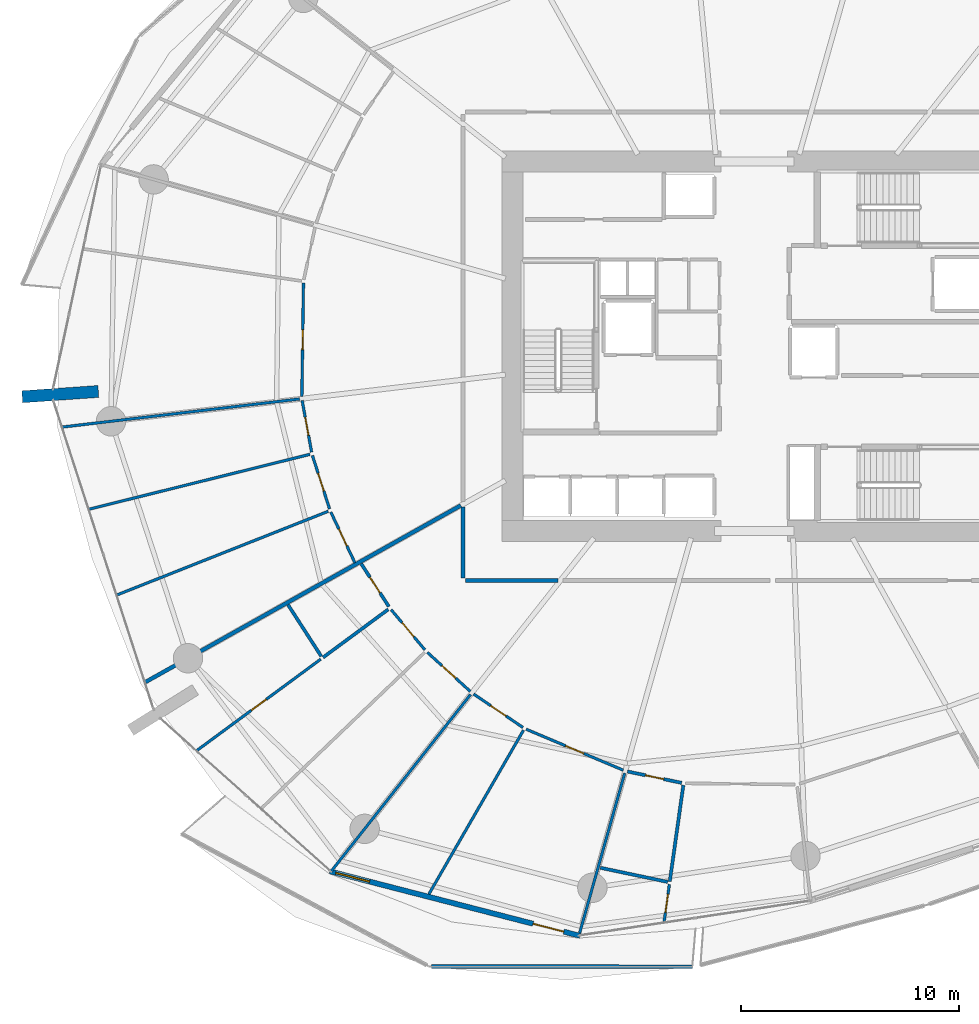
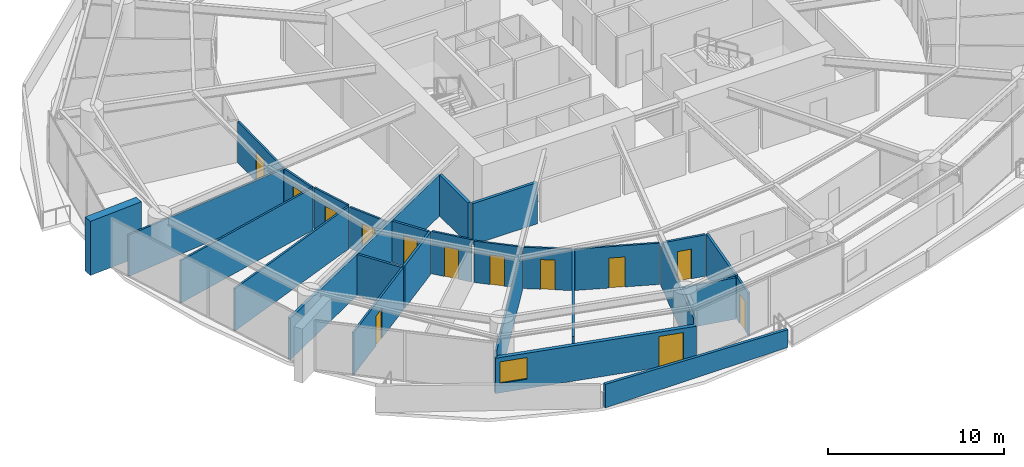
# One storey, part 19 of 31: 28 walls, 13 doors, 1 window, 14 openings.
"""IFC4 building model written with IfcOpenShell, lengths in metres."""

from ifc_helpers import new_model, si_unit, direction, frame, frame_2d, origin, place, context, subcontext, project, spatial, polyline, rectangle, outline, extrude, material, layer, layer_set, type_object, element, fill, save


model = new_model("IFC4")

# Units and contexts
model_context = context("Model", 3, precision=1e-05, world=origin(), true_north=direction((0.0, 1.0)))
body_context = subcontext(model_context, "Body", "Model", "MODEL_VIEW")
ifc_project = project(units=[si_unit("LENGTHUNIT", "METRE"), si_unit("AREAUNIT", "SQUARE_METRE"), si_unit("VOLUMEUNIT", "CUBIC_METRE"), si_unit("PLANEANGLEUNIT", "RADIAN"), si_unit("MASSUNIT", "GRAM", prefix="KILO")], contexts=[model_context])

# Site, building, storey
site_placement = place(None, origin())
site = spatial("IfcSite", under=ifc_project, at=site_placement, CompositionType="ELEMENT")
building_placement = place(site_placement, origin())
building = spatial("IfcBuilding", under=site, at=building_placement, Name="Kazma Halo Residences", CompositionType="ELEMENT")
storey_placement = place(building_placement, frame((0.0, 0.0, 30.14990234375)))
storey = spatial("IfcBuildingStorey", under=building, at=storey_placement, Name="L06", CompositionType="ELEMENT", Elevation=30.14990234375)

# Walls
ifc_material_1 = material(Name="White Concrete C50/60 Balustrade", Category="concrete")
ifc_layer_1 = layer(ifc_material_1, 0.179931640625)
ifc_layer_set_1 = layer_set([ifc_layer_1], Name="White Concrete C50/60 Balustrade")
wall_type_1 = type_object("IfcWallType", Name="WL-BAL-WAVE-180", PredefinedType="PARAPET", material=ifc_layer_set_1)
wall_1_placement = place(storey_placement, frame((33.615478515625, 13.533203125, 0.0), z_axis=(0.0, 0.0, 1.0), x_axis=(0.999999859357, -0.000530363224, 0.0)))
element("IfcWall", 1, at=wall_1_placement, inside=storey, type_object=wall_type_1, Name="L06 white wave balustrade wall SW.2", PredefinedType="PARAPET", context=body_context, shape_type="SweptSolid", body=[
    extrude(outline(polyline([(0.0, 0.0), (11.968505859375, 0.0), (11.968505859375, 1.233154296875), (5.984375, 1.418212890625), (0.0, 1.632080078125), (0.0, 0.0)])), frame((0.0, 0.08984375, 0.0), z_axis=(0.0, -1.0, 0.0), x_axis=(1.0, 0.0, 0.0)), (0.0, 0.0, 1.0), 0.179931640625),
])
ifc_material_2 = material(Name="Pale Concrete C60/75", Category="concrete")
ifc_layer_2 = layer(ifc_material_2, 0.550048828125)
ifc_layer_set_2 = layer_set([ifc_layer_2], Name="Pale Concrete C60/75")
wall_type_2 = type_object("IfcWallType", Name="WL-BLADE-550", PredefinedType="SOLIDWALL", material=ifc_layer_set_2)
wall_2_placement = place(storey_placement, frame((18.322021484375, 39.9248046875, 0.0), z_axis=(0.0, 0.0, 1.0), x_axis=(-0.997564163539, -0.069754853754, 0.0)))
element("IfcWall", 2, at=wall_2_placement, inside=storey, type_object=wall_type_2, Name="L06 pale concrete structural blade fin wall BW-02", PredefinedType="SOLIDWALL", context=body_context, shape_type="SweptSolid", body=[
    extrude(rectangle(XDim=3.5, YDim=0.550048828125, at=frame_2d((1.75, 0.0))), origin(), (0.0, 0.0, 1.0), 3.75),
])
ifc_material_3 = material(Name="Acoustic Twin-Stud Gypsum")
ifc_layer_3 = layer(ifc_material_3, 0.179931640625)
ifc_layer_set_3 = layer_set([ifc_layer_3], Name="Acoustic Twin-Stud Gypsum")
wall_type_3 = type_object("IfcWallType", Name="WL-DEM-180", PredefinedType="PARTITIONING", material=ifc_layer_set_3)
wall_3_placement = place(storey_placement, frame((34.9541015625, 34.694091796875, 0.0), z_axis=(0.0, 0.0, 1.0), x_axis=(-0.872493465611, -0.488625779577, 0.0)))
element("IfcWall", 3, at=wall_3_placement, inside=storey, type_object=wall_type_3, Name="L06 apartment demising radial wall 08", PredefinedType="PARTITIONING", context=body_context, shape_type="SweptSolid", body=[
    extrude(rectangle(XDim=16.586181640625, YDim=0.179931640625, at=frame_2d((8.29296875, 0.0))), origin(), (0.0, 0.0, 1.0), 2.8671875),
])
wall_4_placement = place(storey_placement, frame((35.050048828125, 34.627685546875, 0.0), z_axis=(0.0, 0.0, 1.0), x_axis=(0.0, -1.0, 0.0)))
element("IfcWall", 4, at=wall_4_placement, inside=storey, type_object=wall_type_3, Name="L06 Apartment 2 inner wall 8", PredefinedType="PARTITIONING", context=body_context, shape_type="SweptSolid", body=[
    extrude(rectangle(XDim=3.257568359375, YDim=0.179931640625, at=frame_2d((1.62890625, 0.0))), origin(), (0.0, 0.0, 1.0), 2.8671875),
])
wall_5_placement = place(storey_placement, frame((35.169921875, 31.25, 0.0), z_axis=(0.0, 0.0, 1.0), x_axis=(1.0, 0.0, 0.0)))
element("IfcWall", 5, at=wall_5_placement, inside=storey, type_object=wall_type_3, Name="L06 Apartment 2 inner wall 8", PredefinedType="PARTITIONING", context=body_context, shape_type="SweptSolid", body=[
    extrude(rectangle(XDim=4.235595703125, YDim=0.179931640625, at=frame_2d((2.11767578125, 0.0))), origin(), (0.0, 0.0, 1.0), 2.8671875),
])

# Wall, openings, door, window
ifc_material_4 = material(Name="Insulated Pale-Metal Composite Wall")
ifc_layer_4 = layer(ifc_material_4, 0.239990234375)
ifc_layer_set_4 = layer_set([ifc_layer_4], Name="Insulated Pale-Metal Composite Wall")
wall_type_4 = type_object("IfcWallType", Name="WL-EXT-HOST-240", PredefinedType="SOLIDWALL", material=ifc_layer_set_4)
wall_6_placement = place(storey_placement, frame((28.94580078125, 17.90380859375, 0.0), z_axis=(0.0, 0.0, 1.0), x_axis=(0.96833871487, -0.249640007378, 0.0)))
wall_6 = element("IfcWall", 6, at=wall_6_placement, inside=storey, type_object=wall_type_4, Name="L06 exterior terrace-access wall B10", PredefinedType="SOLIDWALL", context=body_context, shape_type="SweptSolid", body=[
    extrude(rectangle(XDim=11.85107421875, YDim=0.239990234375, at=frame_2d((5.925537109375, 0.0))), origin(), (0.0, 0.0, 1.0), 2.4501953125),
])
opening_1_placement = place(wall_6_placement, frame((9.631103515625, 0.0, 0.0)))
opening_1 = element("IfcOpeningElement", 7, at=opening_1_placement, cuts=wall_6, Name="Opening DTR-1600", PredefinedType="OPENING", context=body_context, shape_type="SweptSolid", body=[
    extrude(rectangle(XDim=1.449951171875, YDim=2.14990234375, at=frame_2d((0.72509765625, 1.074951171875))), frame((0.0, 0.1298828125, 0.0), z_axis=(0.0, -1.0, 0.0), x_axis=(1.0, 0.0, 0.0)), (0.0, 0.0, 1.0), 0.260009765625),
])
opening_2_placement = place(wall_6_placement, frame((0.280029296875, 0.0, 0.64990234375)))
opening_2 = element("IfcOpeningElement", 8, at=opening_2_placement, cuts=wall_6, Name="Opening W-1800", PredefinedType="OPENING", context=body_context, shape_type="SweptSolid", body=[
    extrude(rectangle(XDim=1.60009765625, YDim=1.5, at=frame_2d((0.800048828125, 0.75))), frame((0.0, 0.1298828125, 0.0), z_axis=(0.0, -1.0, 0.0), x_axis=(1.0, 0.0, 0.0)), (0.0, 0.0, 1.0), 0.260009765625),
])
ifc_material_5 = material(Name="Aluminium AW-6063 T6 Double-Glazed Terrace Door", Category="aluminium")
door_type_1 = type_object("IfcDoorType", Name="DR-EXT-TERR-1600", OperationType="NOTDEFINED", PredefinedType="DOOR", material=ifc_material_5)
door_1_placement = place(opening_1_placement, origin())
door_1 = element("IfcDoor", 9, at=door_1_placement, inside=storey, type_object=door_type_1, Name="L06 B10 balcony terrace door", OperationType="DOUBLE_DOOR_SLIDING", OverallHeight=2.14990234375, OverallWidth=1.449951171875, PredefinedType="DOOR", context=body_context, shape_type="SweptSolid", body=[
    extrude(rectangle(XDim=1.449951171875, YDim=2.14990234375, at=frame_2d((0.72509765625, 1.074951171875))), frame((0.0, 0.02490234375, 0.0), z_axis=(0.0, -1.0, 0.0), x_axis=(1.0, 0.0, 0.0)), (0.0, 0.0, 1.0), 0.050048828125),
])
fill(opening_1, door_1)
ifc_material_6 = material(Name="Clear Triple-Silver Low-E Glass in Aluminium AW-6063 T6 Frame", Category="aluminium")
window_type = type_object("IfcWindowType", Name="WIN-RES-1800", PartitioningType="DOUBLE_PANEL_VERTICAL", PredefinedType="WINDOW", material=ifc_material_6)
window_placement = place(opening_2_placement, origin())
window = element("IfcWindow", 10, at=window_placement, inside=storey, type_object=window_type, Name="L06 B10 apartment window", OverallHeight=1.5, OverallWidth=1.60009765625, PartitioningType="SINGLE_PANEL", PredefinedType="WINDOW", context=body_context, shape_type="SweptSolid", body=[
    extrude(rectangle(XDim=1.60009765625, YDim=1.5, at=frame_2d((0.800048828125, 0.75))), frame((0.0, 0.030029296875, 0.0), z_axis=(0.0, -1.0, 0.0), x_axis=(1.0, 0.0, 0.0)), (0.0, 0.0, 1.0), 0.06005859375),
])
fill(opening_2, window)

# Wall, opening, door
ifc_material_7 = material(Name="Gypsum Plasterboard Partition")
ifc_layer_5 = layer(ifc_material_7, 0.125)
ifc_layer_set_5 = layer_set([ifc_layer_5], Name="Gypsum Plasterboard Partition")
wall_type_5 = type_object("IfcWallType", Name="WL-PART-125", PredefinedType="PARTITIONING", material=ifc_layer_set_5)
wall_7_placement = place(storey_placement, frame((27.734130859375, 44.901611328125, 0.0), z_axis=(0.0, 0.0, 1.0), x_axis=(-0.014152399805, -0.999899849775, 0.0)))
wall_7 = element("IfcWall", 11, at=wall_7_placement, inside=storey, type_object=wall_type_5, Name="L06 Apartment 1 Primary Formal Dining Room hall wall", PredefinedType="PARTITIONING", context=body_context, shape_type="SweptSolid", body=[
    extrude(rectangle(XDim=5.209716796875, YDim=0.125, at=frame_2d((2.60498046875, 0.0))), origin(), (0.0, 0.0, 1.0), 2.8671875),
])
opening_3_placement = place(wall_7_placement, frame((2.15478515625, 0.0, 0.0)))
opening_3 = element("IfcOpeningElement", 12, at=opening_3_placement, cuts=wall_7, Name="Opening DI-950", PredefinedType="OPENING", context=body_context, shape_type="SweptSolid", body=[
    extrude(rectangle(XDim=0.89990234375, YDim=2.080078125, at=frame_2d((0.449951171875, 1.0400390625))), frame((0.0, 0.072509765625, 0.0), z_axis=(0.0, -1.0, 0.0), x_axis=(1.0, 0.0, 0.0)), (0.0, 0.0, 1.0), 0.14501953125),
])
ifc_material_8 = material(Name="Timber Veneer Flush Leaf", Category="wood")
door_type_2 = type_object("IfcDoorType", Name="DR-INT-950", OperationType="NOTDEFINED", PredefinedType="DOOR", material=ifc_material_8)
door_2_placement = place(opening_3_placement, origin())
door_2 = element("IfcDoor", 13, at=door_2_placement, inside=storey, type_object=door_type_2, Name="L06 Apartment 1 Primary Formal Dining Room door", OperationType="SINGLE_SWING_RIGHT", OverallHeight=2.080078125, OverallWidth=0.89990234375, PredefinedType="DOOR", context=body_context, shape_type="SweptSolid", body=[
    extrude(rectangle(XDim=0.89990234375, YDim=2.080078125, at=frame_2d((0.449951171875, 1.0400390625))), frame((0.0, 0.02490234375, 0.0), z_axis=(0.0, -1.0, 0.0), x_axis=(1.0, 0.0, 0.0)), (0.0, 0.0, 1.0), 0.050048828125),
])
fill(opening_3, door_2)

# Walls
wall_8_placement = place(storey_placement, frame((27.559814453125, 39.580810546875, 0.0), z_axis=(0.0, 0.0, 1.0), x_axis=(-0.993067148518, -0.117548451854, 0.0)))
element("IfcWall", 14, at=wall_8_placement, inside=storey, type_object=wall_type_5, Name="L06 Apartment 1 radial partition 7", PredefinedType="PARTITIONING", context=body_context, shape_type="SweptSolid", body=[
    extrude(rectangle(XDim=10.955810546875, YDim=0.125, at=frame_2d((5.47802734375, 0.0))), origin(), (0.0, 0.0, 1.0), 2.8671875),
])
wall_9_placement = place(storey_placement, frame((28.03369140625, 37.040283203125, 0.0), z_axis=(0.0, 0.0, 1.0), x_axis=(-0.970510155377, -0.241060237928, 0.0)))
element("IfcWall", 15, at=wall_9_placement, inside=storey, type_object=wall_type_5, Name="L06 Apartment 1 bay wall 1 7", PredefinedType="PARTITIONING", context=body_context, shape_type="SweptSolid", body=[
    extrude(rectangle(XDim=10.436767578125, YDim=0.125, at=frame_2d((5.21826171875, 0.0))), origin(), (0.0, 0.0, 1.0), 2.940185546875),
])
wall_10_placement = place(storey_placement, frame((28.87158203125, 34.426513671875, 0.0), z_axis=(0.0, 0.0, 1.0), x_axis=(-0.929776542834, -0.368124408855, 0.0)))
element("IfcWall", 16, at=wall_10_placement, inside=storey, type_object=wall_type_5, Name="L06 Apartment 1 bay wall 2 7", PredefinedType="PARTITIONING", context=body_context, shape_type="SweptSolid", body=[
    extrude(rectangle(XDim=10.420166015625, YDim=0.125, at=frame_2d((5.2099609375, 0.0))), origin(), (0.0, 0.0, 1.0), 2.940185546875),
])

# Wall, opening, door
wall_11_placement = place(storey_placement, frame((27.67333984375, 39.513916015625, 0.0), z_axis=(0.0, 0.0, 1.0), x_axis=(0.179642413558, -0.983731977345, 0.0)))
wall_11 = element("IfcWall", 17, at=wall_11_placement, inside=storey, type_object=wall_type_5, Name="L06 Apartment 1 Secondary Bedroom hall wall", PredefinedType="PARTITIONING", context=body_context, shape_type="SweptSolid", body=[
    extrude(rectangle(XDim=2.412353515625, YDim=0.125, at=frame_2d((1.2060546875, 0.0))), origin(), (0.0, 0.0, 1.0), 2.8671875),
])
opening_4_placement = place(wall_11_placement, frame((0.781005859375, 0.0, 0.0)))
opening_4 = element("IfcOpeningElement", 18, at=opening_4_placement, cuts=wall_11, Name="Opening DB-900", PredefinedType="OPENING", context=body_context, shape_type="SweptSolid", body=[
    extrude(rectangle(XDim=0.85009765625, YDim=2.06005859375, at=frame_2d((0.425048828125, 1.030029296875))), frame((0.0, 0.072509765625, 0.0), z_axis=(0.0, -1.0, 0.0), x_axis=(1.0, 0.0, 0.0)), (0.0, 0.0, 1.0), 0.14501953125),
])
ifc_material_9 = material(Name="Moisture-Sealed Timber Leaf", Category="wood")
door_type_3 = type_object("IfcDoorType", Name="DR-BTH-900", OperationType="NOTDEFINED", PredefinedType="DOOR", material=ifc_material_9)
door_3_placement = place(opening_4_placement, origin())
door_3 = element("IfcDoor", 19, at=door_3_placement, inside=storey, type_object=door_type_3, Name="L06 Apartment 1 Secondary Bedroom door", OperationType="SINGLE_SWING_LEFT", OverallHeight=2.06005859375, OverallWidth=0.85009765625, PredefinedType="DOOR", context=body_context, shape_type="SweptSolid", body=[
    extrude(rectangle(XDim=0.85009765625, YDim=2.06005859375, at=frame_2d((0.425048828125, 1.030029296875))), frame((0.0, 0.02490234375, 0.0), z_axis=(0.0, -1.0, 0.0), x_axis=(1.0, 0.0, 0.0)), (0.0, 0.0, 1.0), 0.050048828125),
])
fill(opening_4, door_3)

wall_12_placement = place(storey_placement, frame((28.1455078125, 36.98583984375, 0.0), z_axis=(0.0, 0.0, 1.0), x_axis=(0.305274947668, -0.952264252362, 0.0)))
wall_12 = element("IfcWall", 20, at=wall_12_placement, inside=storey, type_object=wall_type_5, Name="L06 Apartment 1 East Dressing Wardrobe hall wall", PredefinedType="PARTITIONING", context=body_context, shape_type="SweptSolid", body=[
    extrude(rectangle(XDim=2.57275390625, YDim=0.125, at=frame_2d((1.286376953125, 0.0))), origin(), (0.0, 0.0, 1.0), 2.940185546875),
])
opening_5_placement = place(wall_12_placement, frame((0.861328125, 0.0, 0.0)))
opening_5 = element("IfcOpeningElement", 21, at=opening_5_placement, cuts=wall_12, Name="Opening DB-900", PredefinedType="OPENING", context=body_context, shape_type="SweptSolid", body=[
    extrude(rectangle(XDim=0.85009765625, YDim=2.06005859375, at=frame_2d((0.425048828125, 1.030029296875))), frame((0.0, 0.072509765625, 0.0), z_axis=(0.0, -1.0, 0.0), x_axis=(1.0, 0.0, 0.0)), (0.0, 0.0, 1.0), 0.14501953125),
])
door_4_placement = place(opening_5_placement, origin())
door_4 = element("IfcDoor", 22, at=door_4_placement, inside=storey, type_object=door_type_3, Name="L06 Apartment 1 East Dressing Wardrobe door", OperationType="SINGLE_SWING_RIGHT", OverallHeight=2.06005859375, OverallWidth=0.85009765625, PredefinedType="DOOR", context=body_context, shape_type="SweptSolid", body=[
    extrude(rectangle(XDim=0.85009765625, YDim=2.06005859375, at=frame_2d((0.425048828125, 1.030029296875))), frame((0.0, 0.02490234375, 0.0), z_axis=(0.0, -1.0, 0.0), x_axis=(1.0, 0.0, 0.0)), (0.0, 0.0, 1.0), 0.050048828125),
])
fill(opening_5, door_4)

wall_13_placement = place(storey_placement, frame((28.98974609375, 34.387451171875, 0.0), z_axis=(0.0, 0.0, 1.0), x_axis=(0.429399392499, -0.903114700202, 0.0)))
wall_13 = element("IfcWall", 23, at=wall_13_placement, inside=storey, type_object=wall_type_5, Name="L06 Apartment 1 West Master Bedroom hall wall", PredefinedType="PARTITIONING", context=body_context, shape_type="SweptSolid", body=[
    extrude(rectangle(XDim=2.57275390625, YDim=0.125, at=frame_2d((1.286376953125, 0.0))), origin(), (0.0, 0.0, 1.0), 2.8671875),
])
opening_6_placement = place(wall_13_placement, frame((0.861328125, 0.0, 0.0)))
opening_6 = element("IfcOpeningElement", 24, at=opening_6_placement, cuts=wall_13, Name="Opening DB-900", PredefinedType="OPENING", context=body_context, shape_type="SweptSolid", body=[
    extrude(rectangle(XDim=0.85009765625, YDim=2.06005859375, at=frame_2d((0.425048828125, 1.030029296875))), frame((0.0, 0.072509765625, 0.0), z_axis=(0.0, -1.0, 0.0), x_axis=(1.0, 0.0, 0.0)), (0.0, 0.0, 1.0), 0.14501953125),
])
door_5_placement = place(opening_6_placement, origin())
door_5 = element("IfcDoor", 25, at=door_5_placement, inside=storey, type_object=door_type_3, Name="L06 Apartment 1 West Master Bedroom door", OperationType="SINGLE_SWING_LEFT", OverallHeight=2.06005859375, OverallWidth=0.85009765625, PredefinedType="DOOR", context=body_context, shape_type="SweptSolid", body=[
    extrude(rectangle(XDim=0.85009765625, YDim=2.06005859375, at=frame_2d((0.425048828125, 1.030029296875))), frame((0.0, 0.02490234375, 0.0), z_axis=(0.0, -1.0, 0.0), x_axis=(1.0, 0.0, 0.0)), (0.0, 0.0, 1.0), 0.050048828125),
])
fill(opening_6, door_5)

wall_14_placement = place(storey_placement, frame((28.528564453125, 27.6416015625, 0.0), z_axis=(0.0, 0.0, 1.0), x_axis=(-0.804851782882, -0.593475869427, 0.0)))
wall_14 = element("IfcWall", 26, at=wall_14_placement, inside=storey, type_object=wall_type_5, Name="L06 Apartment 2 Utility Laundry Room partition wall", PredefinedType="PARTITIONING", context=body_context, shape_type="SweptSolid", body=[
    extrude(rectangle(XDim=7.068603515625, YDim=0.125, at=frame_2d((3.5341796875, 0.0))), origin(), (0.0, 0.0, 1.0), 2.940185546875),
])
opening_7_placement = place(wall_14_placement, frame((3.109375, 0.0, 0.0)))
opening_7 = element("IfcOpeningElement", 27, at=opening_7_placement, cuts=wall_14, Name="Opening DB-900", PredefinedType="OPENING", context=body_context, shape_type="SweptSolid", body=[
    extrude(rectangle(XDim=0.85009765625, YDim=2.06005859375, at=frame_2d((0.425048828125, 1.030029296875))), frame((0.0, 0.072509765625, 0.0), z_axis=(0.0, -1.0, 0.0), x_axis=(1.0, 0.0, 0.0)), (0.0, 0.0, 1.0), 0.14501953125),
])
door_6_placement = place(opening_7_placement, origin())
door_6 = element("IfcDoor", 28, at=door_6_placement, inside=storey, type_object=door_type_3, Name="L06 Apartment 2 Utility Laundry Room door", OperationType="SINGLE_SWING_RIGHT", OverallHeight=2.06005859375, OverallWidth=0.85009765625, PredefinedType="DOOR", context=body_context, shape_type="SweptSolid", body=[
    extrude(rectangle(XDim=0.85009765625, YDim=2.06005859375, at=frame_2d((0.425048828125, 1.030029296875))), frame((0.0, 0.02490234375, 0.0), z_axis=(0.0, -1.0, 0.0), x_axis=(1.0, 0.0, 0.0)), (0.0, 0.0, 1.0), 0.050048828125),
])
fill(opening_7, door_6)

wall_15_placement = place(storey_placement, frame((31.75732421875, 29.9111328125, 0.0), z_axis=(0.0, 0.0, 1.0), x_axis=(0.643453951952, -0.76548482135, 0.0)))
wall_15 = element("IfcWall", 29, at=wall_15_placement, inside=storey, type_object=wall_type_5, Name="L06 Apartment 2 Gourmet Kitchen hall wall", PredefinedType="PARTITIONING", context=body_context, shape_type="SweptSolid", body=[
    extrude(rectangle(XDim=2.40478515625, YDim=0.125, at=frame_2d((1.202392578125, 0.0))), origin(), (0.0, 0.0, 1.0), 2.940185546875),
])
opening_8_placement = place(wall_15_placement, frame((0.77734375, 0.0, 0.0)))
opening_8 = element("IfcOpeningElement", 30, at=opening_8_placement, cuts=wall_15, Name="Opening DB-900", PredefinedType="OPENING", context=body_context, shape_type="SweptSolid", body=[
    extrude(rectangle(XDim=0.85009765625, YDim=2.06005859375, at=frame_2d((0.425048828125, 1.030029296875))), frame((0.0, 0.072509765625, 0.0), z_axis=(0.0, -1.0, 0.0), x_axis=(1.0, 0.0, 0.0)), (0.0, 0.0, 1.0), 0.14501953125),
])
door_7_placement = place(opening_8_placement, origin())
door_7 = element("IfcDoor", 31, at=door_7_placement, inside=storey, type_object=door_type_3, Name="L06 Apartment 2 Gourmet Kitchen door", OperationType="SINGLE_SWING_LEFT", OverallHeight=2.06005859375, OverallWidth=0.85009765625, PredefinedType="DOOR", context=body_context, shape_type="SweptSolid", body=[
    extrude(rectangle(XDim=0.85009765625, YDim=2.06005859375, at=frame_2d((0.425048828125, 1.030029296875))), frame((0.0, 0.02490234375, 0.0), z_axis=(0.0, -1.0, 0.0), x_axis=(1.0, 0.0, 0.0)), (0.0, 0.0, 1.0), 0.050048828125),
])
fill(opening_8, door_7)

wall_16_placement = place(storey_placement, frame((33.41552734375, 27.955322265625, 0.0), z_axis=(0.0, 0.0, 1.0), x_axis=(0.739882041231, -0.672736623846, 0.0)))
wall_16 = element("IfcWall", 32, at=wall_16_placement, inside=storey, type_object=wall_type_5, Name="L06 Apartment 2 Master Bedroom hall wall", PredefinedType="PARTITIONING", context=body_context, shape_type="SweptSolid", body=[
    extrude(rectangle(XDim=2.665283203125, YDim=0.125, at=frame_2d((1.33251953125, 0.0))), origin(), (0.0, 0.0, 1.0), 2.8671875),
])
opening_9_placement = place(wall_16_placement, frame((0.90771484375, 0.0, 0.0)))
opening_9 = element("IfcOpeningElement", 33, at=opening_9_placement, cuts=wall_16, Name="Opening DB-900", PredefinedType="OPENING", context=body_context, shape_type="SweptSolid", body=[
    extrude(rectangle(XDim=0.85009765625, YDim=2.06005859375, at=frame_2d((0.425048828125, 1.030029296875))), frame((0.0, 0.072509765625, 0.0), z_axis=(0.0, -1.0, 0.0), x_axis=(1.0, 0.0, 0.0)), (0.0, 0.0, 1.0), 0.14501953125),
])
door_8_placement = place(opening_9_placement, origin())
door_8 = element("IfcDoor", 34, at=door_8_placement, inside=storey, type_object=door_type_3, Name="L06 Apartment 2 Master Bedroom door", OperationType="SINGLE_SWING_RIGHT", OverallHeight=2.06005859375, OverallWidth=0.85009765625, PredefinedType="DOOR", context=body_context, shape_type="SweptSolid", body=[
    extrude(rectangle(XDim=0.85009765625, YDim=2.06005859375, at=frame_2d((0.425048828125, 1.030029296875))), frame((0.0, 0.02490234375, 0.0), z_axis=(0.0, -1.0, 0.0), x_axis=(1.0, 0.0, 0.0)), (0.0, 0.0, 1.0), 0.050048828125),
])
fill(opening_9, door_8)

# Walls
wall_17_placement = place(storey_placement, frame((35.399658203125, 26.0166015625, 0.0), z_axis=(0.0, 0.0, 1.0), x_axis=(-0.619085809847, -0.785323347447, 0.0)))
element("IfcWall", 35, at=wall_17_placement, inside=storey, type_object=wall_type_5, Name="L06 Apartment 2 radial partition 9", PredefinedType="PARTITIONING", context=body_context, shape_type="SweptSolid", body=[
    extrude(rectangle(XDim=10.321533203125, YDim=0.125, at=frame_2d((5.16064453125, 0.0))), origin(), (0.0, 0.0, 1.0), 2.8671875),
])
wall_18_placement = place(storey_placement, frame((37.830810546875, 24.381103515625, 0.0), z_axis=(0.0, 0.0, 1.0), x_axis=(-0.499878153527, -0.866095740451, 0.0)))
element("IfcWall", 36, at=wall_18_placement, inside=storey, type_object=wall_type_5, Name="L06 Apartment 2 mid-bay wall 9", PredefinedType="PARTITIONING", context=body_context, shape_type="SweptSolid", body=[
    extrude(rectangle(XDim=8.687255859375, YDim=0.125, at=frame_2d((4.34375, 0.0))), origin(), (0.0, 0.0, 1.0), 2.940185546875),
])

# Wall, opening, door
wall_19_placement = place(storey_placement, frame((35.544189453125, 26.038818359375, 0.0), z_axis=(0.0, 0.0, 1.0), x_axis=(0.827867904516, -0.560923107629, 0.0)))
wall_19 = element("IfcWall", 37, at=wall_19_placement, inside=storey, type_object=wall_type_5, Name="L06 Apartment 2 East Dressing Wardrobe hall wall", PredefinedType="PARTITIONING", context=body_context, shape_type="SweptSolid", body=[
    extrude(rectangle(XDim=2.736328125, YDim=0.125, at=frame_2d((1.3681640625, 0.0))), origin(), (0.0, 0.0, 1.0), 2.8671875),
])
opening_10_placement = place(wall_19_placement, frame((0.943115234375, 0.0, 0.0)))
opening_10 = element("IfcOpeningElement", 38, at=opening_10_placement, cuts=wall_19, Name="Opening DB-900", PredefinedType="OPENING", context=body_context, shape_type="SweptSolid", body=[
    extrude(rectangle(XDim=0.85009765625, YDim=2.06005859375, at=frame_2d((0.425048828125, 1.030029296875))), frame((0.0, 0.072509765625, 0.0), z_axis=(0.0, -1.0, 0.0), x_axis=(1.0, 0.0, 0.0)), (0.0, 0.0, 1.0), 0.14501953125),
])
door_9_placement = place(opening_10_placement, origin())
door_9 = element("IfcDoor", 39, at=door_9_placement, inside=storey, type_object=door_type_3, Name="L06 Apartment 2 East Dressing Wardrobe door", OperationType="SINGLE_SWING_RIGHT", OverallHeight=2.06005859375, OverallWidth=0.85009765625, PredefinedType="DOOR", context=body_context, shape_type="SweptSolid", body=[
    extrude(rectangle(XDim=0.85009765625, YDim=2.06005859375, at=frame_2d((0.425048828125, 1.030029296875))), frame((0.0, 0.02490234375, 0.0), z_axis=(0.0, -1.0, 0.0), x_axis=(1.0, 0.0, 0.0)), (0.0, 0.0, 1.0), 0.050048828125),
])
fill(opening_10, door_9)

wall_20_placement = place(storey_placement, frame((37.949462890625, 24.427978515625, 0.0), z_axis=(0.0, 0.0, 1.0), x_axis=(0.921391247889, -0.388636293098, 0.0)))
wall_20 = element("IfcWall", 40, at=wall_20_placement, inside=storey, type_object=wall_type_5, Name="L06 Apartment 2 West Master Bedroom hall wall", PredefinedType="PARTITIONING", context=body_context, shape_type="SweptSolid", body=[
    extrude(rectangle(XDim=4.841552734375, YDim=0.125, at=frame_2d((2.4208984375, 0.0))), origin(), (0.0, 0.0, 1.0), 2.8671875),
])
opening_11_placement = place(wall_20_placement, frame((1.970703125, 0.0, 0.0)))
opening_11 = element("IfcOpeningElement", 41, at=opening_11_placement, cuts=wall_20, Name="Opening DI-950", PredefinedType="OPENING", context=body_context, shape_type="SweptSolid", body=[
    extrude(rectangle(XDim=0.89990234375, YDim=2.080078125, at=frame_2d((0.449951171875, 1.0400390625))), frame((0.0, 0.072509765625, 0.0), z_axis=(0.0, -1.0, 0.0), x_axis=(1.0, 0.0, 0.0)), (0.0, 0.0, 1.0), 0.14501953125),
])
door_10_placement = place(opening_11_placement, origin())
door_10 = element("IfcDoor", 42, at=door_10_placement, inside=storey, type_object=door_type_2, Name="L06 Apartment 2 West Master Bedroom door", OperationType="SINGLE_SWING_LEFT", OverallHeight=2.080078125, OverallWidth=0.89990234375, PredefinedType="DOOR", context=body_context, shape_type="SweptSolid", body=[
    extrude(rectangle(XDim=0.89990234375, YDim=2.080078125, at=frame_2d((0.449951171875, 1.0400390625))), frame((0.0, 0.02490234375, 0.0), z_axis=(0.0, -1.0, 0.0), x_axis=(1.0, 0.0, 0.0)), (0.0, 0.0, 1.0), 0.050048828125),
])
fill(opening_11, door_10)

# Wall
wall_21_placement = place(storey_placement, frame((42.475341796875, 22.4111328125, 0.0), z_axis=(0.0, 0.0, 1.0), x_axis=(-0.271439615814, -0.96245547168, 0.0)))
element("IfcWall", 43, at=wall_21_placement, inside=storey, type_object=wall_type_5, Name="L06 Apartment 2 radial partition 10", PredefinedType="PARTITIONING", context=body_context, shape_type="SweptSolid", body=[
    extrude(rectangle(XDim=7.619140625, YDim=0.125, at=frame_2d((3.8095703125, 0.0))), origin(), (0.0, 0.0, 1.0), 2.8671875),
])

# Wall, opening, door
wall_22_placement = place(storey_placement, frame((44.525634765625, 17.310302734375, 0.0), z_axis=(0.0, 0.0, 1.0), x_axis=(-0.139282491489, -0.990252688744, 0.0)))
wall_22 = element("IfcWall", 44, at=wall_22_placement, inside=storey, type_object=wall_type_5, Name="L06 Apartment 2 South Walk-In Wardrobe partition wall", PredefinedType="PARTITIONING", context=body_context, shape_type="SweptSolid", body=[
    extrude(rectangle(XDim=1.758056640625, YDim=0.125, at=frame_2d((0.87890625, 0.0))), origin(), (0.0, 0.0, 1.0), 2.940185546875),
])
opening_12_placement = place(wall_22_placement, frame((0.4541015625, 0.0, 0.0)))
opening_12 = element("IfcOpeningElement", 45, at=opening_12_placement, cuts=wall_22, Name="Opening DB-900", PredefinedType="OPENING", context=body_context, shape_type="SweptSolid", body=[
    extrude(rectangle(XDim=0.85009765625, YDim=2.06005859375, at=frame_2d((0.425048828125, 1.030029296875))), frame((0.0, 0.072509765625, 0.0), z_axis=(0.0, -1.0, 0.0), x_axis=(1.0, 0.0, 0.0)), (0.0, 0.0, 1.0), 0.14501953125),
])
door_11_placement = place(opening_12_placement, origin())
door_11 = element("IfcDoor", 46, at=door_11_placement, inside=storey, type_object=door_type_3, Name="L06 Apartment 2 South Walk-In Wardrobe door", OperationType="SINGLE_SWING_RIGHT", OverallHeight=2.06005859375, OverallWidth=0.85009765625, PredefinedType="DOOR", context=body_context, shape_type="SweptSolid", body=[
    extrude(rectangle(XDim=0.85009765625, YDim=2.06005859375, at=frame_2d((0.425048828125, 1.030029296875))), frame((0.0, 0.02490234375, 0.0), z_axis=(0.0, -1.0, 0.0), x_axis=(1.0, 0.0, 0.0)), (0.0, 0.0, 1.0), 0.050048828125),
])
fill(opening_12, door_11)

ifc_material_10 = material(Name="Moisture-Resistant Gypsum")
ifc_layer_6 = layer(ifc_material_10, 0.14990234375)
ifc_layer_set_6 = layer_set([ifc_layer_6], Name="Moisture-Resistant Gypsum")
wall_type_6 = type_object("IfcWallType", Name="WL-WET-150", PredefinedType="PARTITIONING", material=ifc_layer_set_6)
wall_23_placement = place(storey_placement, frame((30.383544921875, 32.02001953125, 0.0), z_axis=(0.0, 0.0, 1.0), x_axis=(0.542055500246, -0.84034268882, 0.0)))
wall_23 = element("IfcWall", 47, at=wall_23_placement, inside=storey, type_object=wall_type_6, Name="L06 Apartment 2 Guest Bathroom hall wall", PredefinedType="PARTITIONING", context=body_context, shape_type="SweptSolid", body=[
    extrude(rectangle(XDim=2.337646484375, YDim=0.14990234375, at=frame_2d((1.1689453125, 0.0))), origin(), (0.0, 0.0, 1.0), 2.8671875),
])
opening_13_placement = place(wall_23_placement, frame((0.743896484375, 0.0, 0.0)))
opening_13 = element("IfcOpeningElement", 48, at=opening_13_placement, cuts=wall_23, Name="Opening DB-900", PredefinedType="OPENING", context=body_context, shape_type="SweptSolid", body=[
    extrude(rectangle(XDim=0.85009765625, YDim=2.06005859375, at=frame_2d((0.425048828125, 1.030029296875))), frame((0.0, 0.0849609375, 0.0), z_axis=(0.0, -1.0, 0.0), x_axis=(1.0, 0.0, 0.0)), (0.0, 0.0, 1.0), 0.169921875),
])
door_12_placement = place(opening_13_placement, origin())
door_12 = element("IfcDoor", 49, at=door_12_placement, inside=storey, type_object=door_type_3, Name="L06 Apartment 2 Guest Bathroom door", OperationType="SINGLE_SWING_LEFT", OverallHeight=2.06005859375, OverallWidth=0.85009765625, PredefinedType="DOOR", context=body_context, shape_type="SweptSolid", body=[
    extrude(rectangle(XDim=0.85009765625, YDim=2.06005859375, at=frame_2d((0.425048828125, 1.030029296875))), frame((0.0, 0.02490234375, 0.0), z_axis=(0.0, -1.0, 0.0), x_axis=(1.0, 0.0, 0.0)), (0.0, 0.0, 1.0), 0.050048828125),
])
fill(opening_13, door_12)

# Walls
wall_24_placement = place(storey_placement, frame((27.0244140625, 30.138916015625, 0.0), z_axis=(0.0, 0.0, 1.0), x_axis=(0.542061750335, -0.840338657223, 0.0)))
element("IfcWall", 50, at=wall_24_placement, inside=storey, type_object=wall_type_6, Name="L06 Apartment 2 Guest Bathroom back wall", PredefinedType="PARTITIONING", context=body_context, shape_type="SweptSolid", body=[
    extrude(rectangle(XDim=2.818115234375, YDim=0.14990234375, at=frame_2d((1.4091796875, 0.0))), origin(), (0.0, 0.0, 1.0), 2.8671875),
])
wall_25_placement = place(storey_placement, frame((31.627197265625, 29.9267578125, 0.0), z_axis=(0.0, 0.0, 1.0), x_axis=(-0.804824851799, -0.59351239071, 0.0)))
element("IfcWall", 51, at=wall_25_placement, inside=storey, type_object=wall_type_6, Name="L06 Apartment 2 Guest Bathroom side wall", PredefinedType="PARTITIONING", context=body_context, shape_type="SweptSolid", body=[
    extrude(rectangle(XDim=3.72021484375, YDim=0.14990234375, at=frame_2d((1.860107421875, 0.0))), origin(), (0.0, 0.0, 1.0), 2.940185546875),
])

# Wall, opening, door
wall_26_placement = place(storey_placement, frame((42.600341796875, 22.48681640625, 0.0), z_axis=(0.0, 0.0, 1.0), x_axis=(0.978579306251, -0.20587020517, 0.0)))
wall_26 = element("IfcWall", 52, at=wall_26_placement, inside=storey, type_object=wall_type_6, Name="L06 Apartment 2 North En-Suite Bathroom hall wall", PredefinedType="PARTITIONING", context=body_context, shape_type="SweptSolid", body=[
    extrude(rectangle(XDim=2.543701171875, YDim=0.14990234375, at=frame_2d((1.27197265625, 0.0))), origin(), (0.0, 0.0, 1.0), 2.8671875),
])
opening_14_placement = place(wall_26_placement, frame((0.846923828125, 0.0, 0.0)))
opening_14 = element("IfcOpeningElement", 53, at=opening_14_placement, cuts=wall_26, Name="Opening DB-900", PredefinedType="OPENING", context=body_context, shape_type="SweptSolid", body=[
    extrude(rectangle(XDim=0.85009765625, YDim=2.06005859375, at=frame_2d((0.425048828125, 1.030029296875))), frame((0.0, 0.0849609375, 0.0), z_axis=(0.0, -1.0, 0.0), x_axis=(1.0, 0.0, 0.0)), (0.0, 0.0, 1.0), 0.169921875),
])
door_13_placement = place(opening_14_placement, origin())
door_13 = element("IfcDoor", 54, at=door_13_placement, inside=storey, type_object=door_type_3, Name="L06 Apartment 2 North En-Suite Bathroom door", OperationType="SINGLE_SWING_LEFT", OverallHeight=2.06005859375, OverallWidth=0.85009765625, PredefinedType="DOOR", context=body_context, shape_type="SweptSolid", body=[
    extrude(rectangle(XDim=0.85009765625, YDim=2.06005859375, at=frame_2d((0.425048828125, 1.030029296875))), frame((0.0, 0.02490234375, 0.0), z_axis=(0.0, -1.0, 0.0), x_axis=(1.0, 0.0, 0.0)), (0.0, 0.0, 1.0), 0.050048828125),
])
fill(opening_14, door_13)

# Walls
wall_27_placement = place(storey_placement, frame((41.3544921875, 18.069091796875, 0.0), z_axis=(0.0, 0.0, 1.0), x_axis=(0.978588253421, -0.205827671283, 0.0)))
element("IfcWall", 55, at=wall_27_placement, inside=storey, type_object=wall_type_6, Name="L06 Apartment 2 North En-Suite Bathroom back wall", PredefinedType="PARTITIONING", context=body_context, shape_type="SweptSolid", body=[
    extrude(rectangle(XDim=3.163330078125, YDim=0.14990234375, at=frame_2d((1.58154296875, 0.0))), origin(), (0.0, 0.0, 1.0), 2.8671875),
])
wall_28_placement = place(storey_placement, frame((45.165283203125, 21.85546875, 0.0), z_axis=(0.0, 0.0, 1.0), x_axis=(-0.139367219172, -0.990240767804, 0.0)))
element("IfcWall", 56, at=wall_28_placement, inside=storey, type_object=wall_type_6, Name="L06 Apartment 2 North En-Suite Bathroom side wall", PredefinedType="PARTITIONING", context=body_context, shape_type="SweptSolid", body=[
    extrude(rectangle(XDim=4.4599609375, YDim=0.14990234375, at=frame_2d((2.22998046875, 0.0))), origin(), (0.0, 0.0, 1.0), 2.940185546875),
])

save(model, "model.ifc")
